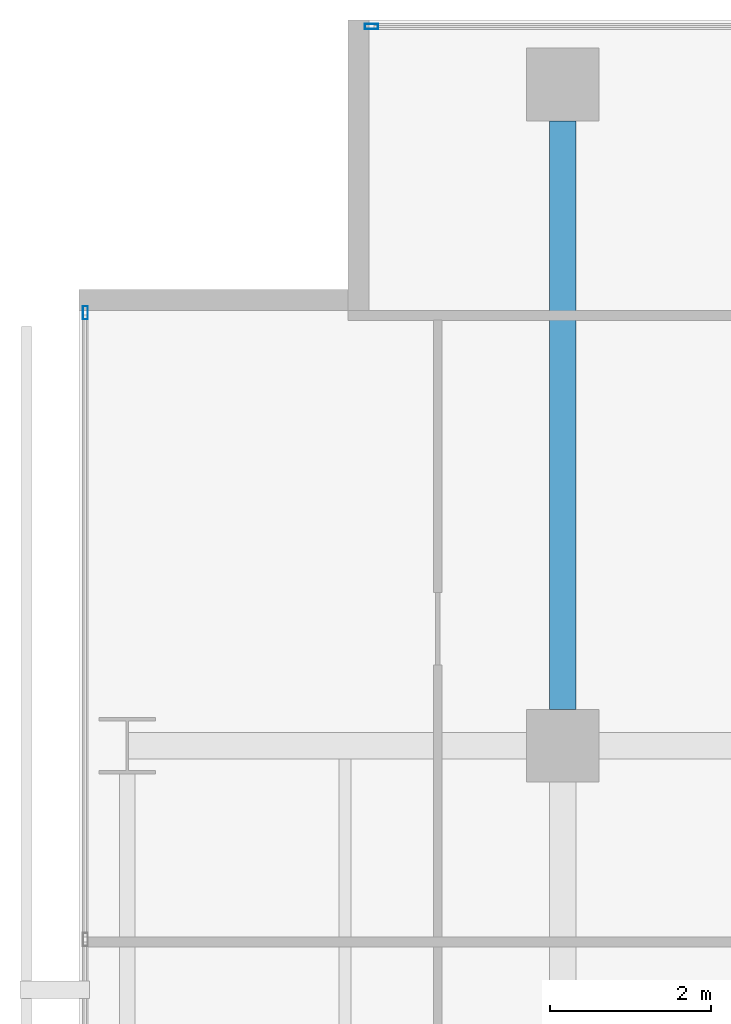
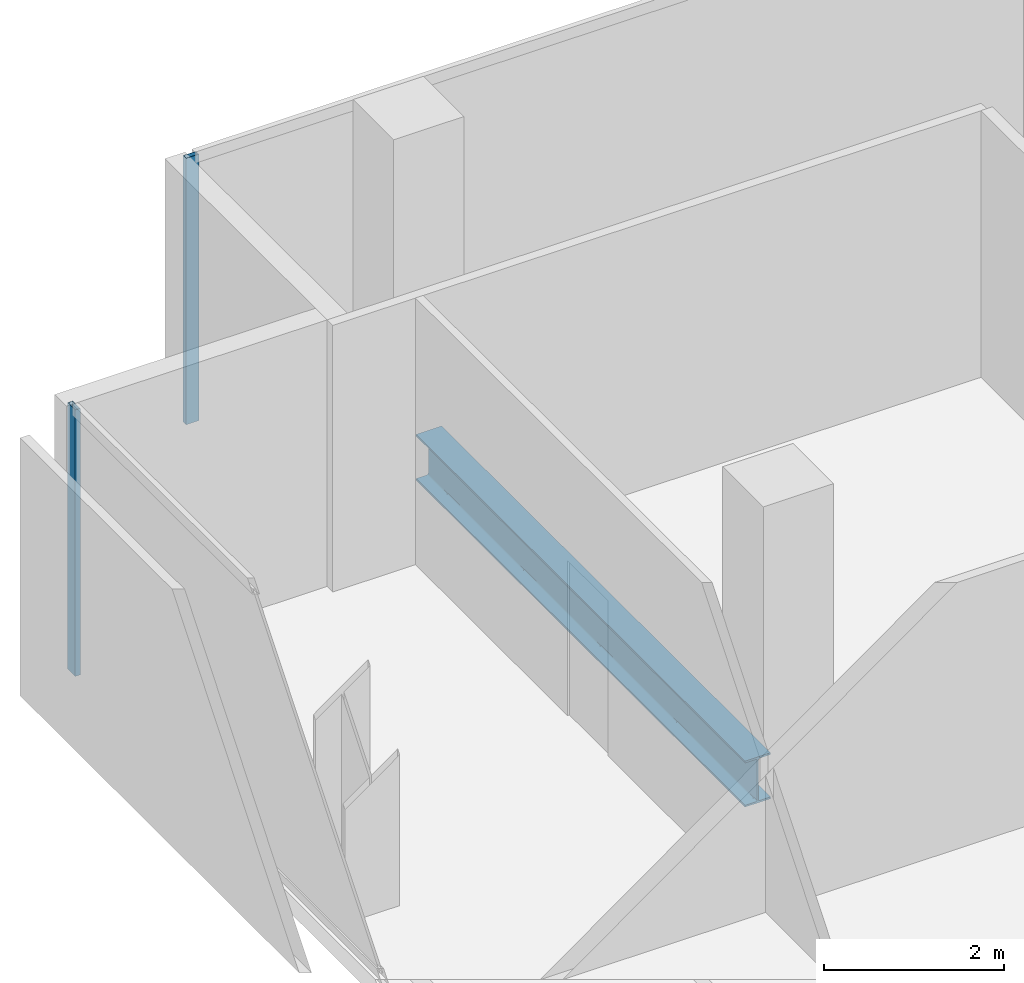
# One storey, part 25 of 40: 2 members, 1 beam, 2 elements without a shape of their own.
"""IFC4 building model written with IfcOpenShell, lengths in metres."""

from ifc_helpers import new_model, si_unit, direction, frame, origin, origin_2d, place, context, subcontext, project, spatial, hollow_rectangle, i_section, extrude, material, layer, layer_set, material_profile, profile_set, type_object, element, aggregate, save


model = new_model("IFC4")

# Units and contexts
model_context = context("Model", 3, precision=1e-05, world=origin(), true_north=direction((0.0, 1.0)))
body_context = subcontext(model_context, "Body", "Model", "MODEL_VIEW")
ifc_project = project(units=[si_unit("LENGTHUNIT", "METRE"), si_unit("AREAUNIT", "SQUARE_METRE"), si_unit("VOLUMEUNIT", "CUBIC_METRE"), si_unit("PLANEANGLEUNIT", "RADIAN"), si_unit("MASSUNIT", "GRAM", prefix="KILO")], contexts=[model_context])

# Site, building, storey
site_placement = place(None, origin())
site = spatial("IfcSite", under=ifc_project, at=site_placement, CompositionType="ELEMENT")
building_placement = place(site_placement, origin())
building = spatial("IfcBuilding", under=site, at=building_placement, Name="Maruvema Waterfront Hotel and Observation Tower", CompositionType="ELEMENT")
storey_placement = place(building_placement, frame((0.0, 0.0, 53.89990234375)))
storey = spatial("IfcBuildingStorey", under=building, at=storey_placement, Name="L12", CompositionType="ELEMENT", Elevation=53.89990234375)

# Curtain wall, member
ifc_material_1 = material(Name="Anodised bronze aluminium and solar-control low-E IGU", Category="aluminium")
ifc_layer = layer(ifc_material_1, 0.159912109375, Name="Zone 1 Bronze Inner Thermal Curtain Wall System CW-02")
ifc_layer_set = layer_set([ifc_layer], Name="Anodised bronze aluminium and solar-control low-E IGU")
curtain_wall_type = type_object("IfcCurtainWallType", Name="Zone 1 Bronze Inner Thermal Curtain Wall System CW-02", PredefinedType="USERDEFINED", material=ifc_layer_set)
curtain_wall_1_placement = place(storey_placement, origin())
curtain_wall_1 = element("IfcCurtainWall", 1, at=curtain_wall_1_placement, inside=storey, type_object=curtain_wall_type, Name="L12 Curtain Wall CW-L12-W", ObjectType="UNITISED CURTAIN WALL", PredefinedType="USERDEFINED")
ifc_material_2 = material(Name="Anodised architectural bronze aluminium", Category="aluminium")
ifc_material_profile_1 = material_profile(ifc_material_2, hollow_rectangle(XDim=0.06494140625, YDim=0.1650390625, WallThickness=0.00390625, at=origin_2d()), Name="ALU-M65x165")
ifc_profile_set_1 = profile_set([ifc_material_profile_1], Name="Anodised architectural bronze aluminium")
member_type = type_object("IfcMemberType", Name="Curtain Wall Primary Mullion ALU-M65x165", PredefinedType="MULLION", material=ifc_profile_set_1)
member_1_placement = place(storey_placement, frame((10.8798828125, 50.3701171875, 0.0), z_axis=(0.0, 0.0, 1.0), x_axis=(1.0, 0.0, 0.0)))
member_1 = element("IfcMember", 2, at=member_1_placement, type_object=member_type, Name="CW-02 mullion 1", PredefinedType="MULLION", context=body_context, shape_type="SweptSolid", body=[
    extrude(hollow_rectangle(XDim=0.06494140625, YDim=0.1650390625, WallThickness=0.00390625, at=origin_2d()), origin(), (0.0, 0.0, 1.0), 3.610107421875),
])
aggregate(curtain_wall_1, [member_1])

curtain_wall_2_placement = place(storey_placement, origin())
curtain_wall_2 = element("IfcCurtainWall", 3, at=curtain_wall_2_placement, inside=storey, type_object=curtain_wall_type, Name="L12 Curtain Wall CW-L12-NW", ObjectType="UNITISED CURTAIN WALL", PredefinedType="USERDEFINED")
member_2_placement = place(storey_placement, frame((14.429931640625, 53.919921875, 0.0), z_axis=(0.0, 0.0, 1.0), x_axis=(0.0, -1.0, 0.0)))
member_2 = element("IfcMember", 4, at=member_2_placement, type_object=member_type, Name="CW-02 mullion 2", PredefinedType="MULLION", context=body_context, shape_type="SweptSolid", body=[
    extrude(hollow_rectangle(XDim=0.06494140625, YDim=0.1650390625, WallThickness=0.00390625, at=origin_2d()), origin(), (0.0, 0.0, 1.0), 3.610107421875),
])
aggregate(curtain_wall_2, [member_2])

# Beam
ifc_material_3 = material(Name="Steel ASTM A572 Grade 50", Category="steel")
ifc_material_profile_2 = material_profile(ifc_material_3, i_section(OverallWidth=0.326904296875, OverallDepth=0.6220703125, WebThickness=0.015380859375, FlangeThickness=0.0244140625, FilletRadius=0.01806640625, at=origin_2d()), Name="W610x195.0")
ifc_profile_set_2 = profile_set([ifc_material_profile_2], Name="Steel ASTM A572 Grade 50")
beam_type = type_object("IfcBeamType", Name="Primary Floor Girder W610x195.0", PredefinedType="BEAM", material=ifc_profile_set_2)
beam_placement = place(storey_placement, frame((16.800048828125, 45.449951171875, -0.55078125), z_axis=(0.0, 1.0, 0.0), x_axis=(-1.0, 0.0, 0.0)))
element("IfcBeam", 5, at=beam_placement, inside=storey, type_object=beam_type, Name="L12 Floor Girder NS-10", PredefinedType="BEAM", context=body_context, shape_type="SweptSolid", body=[
    extrude(i_section(OverallWidth=0.326904296875, OverallDepth=0.6220703125, WebThickness=0.015380859375, FlangeThickness=0.0244140625, FilletRadius=0.01806640625, at=origin_2d()), origin(), (0.0, 0.0, 1.0), 7.300048828125),
])

save(model, "model.ifc")
